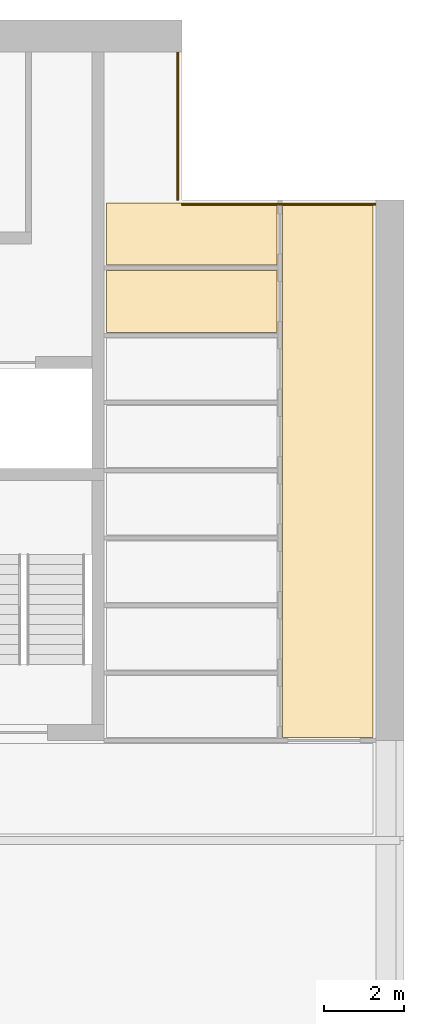
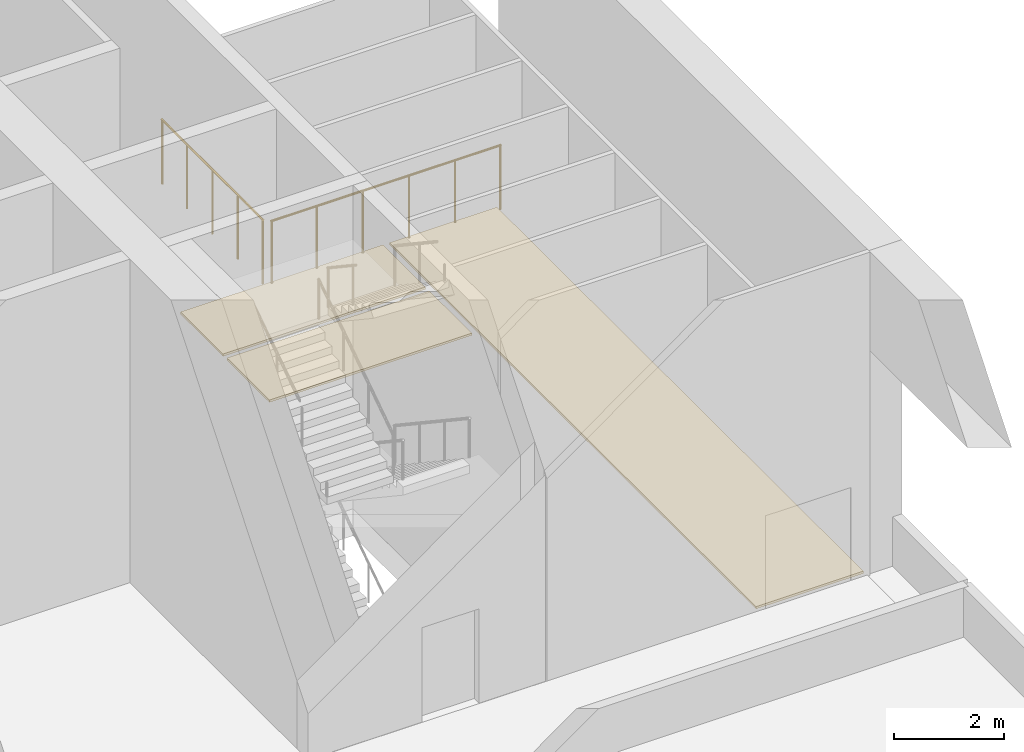
# One storey, part 9 of 10: 3 coverings, 2 railings.
"""IFC4 building model written with IfcOpenShell, lengths in metres."""

import ifcopenshell
import ifcopenshell.guid

model = None  # the IFC model being written
_history = None  # IfcOwnerHistory: only IFC2X3 demands one
_inside = {}  # id of a spatial element -> (the spatial element, [elements in it])
_under = {}  # id of a project, library or spatial element -> (it, [spatial elements below it])
_declared = {}  # id of a project -> (the project, [libraries it declares])
_typed = {}  # id of a type object -> (the type object, [elements of that type])
_made_of = {}  # id of a material, layer set ... -> (it, [elements and type objects made of it])


def new_model(schema):
    """Start an empty IFC model of exactly this schema.

    Asked for "IFC4X3", IfcOpenShell would pick the latest addendum, in which some entities
    have other attributes; the version numbers below select the first issue.
    IFC2X3 requires an IfcOwnerHistory on every rooted entity: one is made here for all.
    """
    global model, _history
    if schema == "IFC4X3":
        model = ifcopenshell.file(schema_version=(4, 3, 0, 0))
    else:
        model = ifcopenshell.file(schema=schema)
    _inside.clear()
    _under.clear()
    _declared.clear()
    _typed.clear()
    _made_of.clear()
    _history = None
    if model.schema == "IFC2X3":
        org = make("IfcOrganization", Name="unknown")
        user = make(
            "IfcPersonAndOrganization",
            ThePerson=make("IfcPerson", FamilyName="unknown"),
            TheOrganization=org,
        )
        app = make(
            "IfcApplication",
            ApplicationDeveloper=org,
            Version="unknown",
            ApplicationFullName="unknown",
            ApplicationIdentifier="unknown",
        )
        _history = make(
            "IfcOwnerHistory",
            OwningUser=user,
            OwningApplication=app,
            ChangeAction="ADDED",
            CreationDate=0,
        )
    return model


def make(cls, **values):
    """One entity of the class cls with the attributes given. An attribute that is None is left unset."""
    return model.create_entity(
        cls, **{name: value for name, value in values.items() if value is not None}
    )


def rooted(cls, **values):
    """An entity with a GlobalId (a new one), such as an element, a storey or a relation."""
    return make(cls, GlobalId=ifcopenshell.guid.new(), OwnerHistory=_history, **values)


def si_unit(unit_type, name, prefix=None):
    """IfcSIUnit, for example si_unit("LENGTHUNIT", "METRE", prefix="MILLI")."""
    return make("IfcSIUnit", UnitType=unit_type, Prefix=prefix, Name=name)


def assignment(units):
    """IfcUnitAssignment: the units of a project."""
    return None if units is None else make("IfcUnitAssignment", Units=units)


def point(xyz):
    """IfcCartesianPoint."""
    return None if xyz is None else make("IfcCartesianPoint", Coordinates=xyz)


def direction(xyz):
    """IfcDirection."""
    return None if xyz is None else make("IfcDirection", DirectionRatios=xyz)


def frame(location, z_axis=None, x_axis=None):
    """IfcAxis2Placement3D, a coordinate frame: its origin and axes. An axis left out is left unset."""
    return make(
        "IfcAxis2Placement3D",
        Location=point(location),
        Axis=direction(z_axis),
        RefDirection=direction(x_axis),
    )


def frame_2d(location, x_axis=None):
    """IfcAxis2Placement2D, a coordinate frame in the plane: its origin and x axis."""
    return make(
        "IfcAxis2Placement2D", Location=point(location), RefDirection=direction(x_axis)
    )


def origin():
    """The frame at (0, 0, 0) with its axes left unset."""
    return frame((0.0, 0.0, 0.0))


def origin_2d():
    """The frame at (0, 0) in the plane with its x axis left unset."""
    return frame_2d((0.0, 0.0))


def place(relative_to, where):
    """IfcLocalPlacement: puts the frame where relative to a parent placement (None: the world)."""
    return make(
        "IfcLocalPlacement", PlacementRelTo=relative_to, RelativePlacement=where
    )


def context(
    kind, dimensions, precision=None, world=None, true_north=None, identifier=None
):
    """IfcGeometricRepresentationContext, for example the 3D "Model" context."""
    return make(
        "IfcGeometricRepresentationContext",
        ContextIdentifier=identifier,
        ContextType=kind,
        CoordinateSpaceDimension=dimensions,
        Precision=precision,
        WorldCoordinateSystem=world,
        TrueNorth=true_north,
    )


def subcontext(parent, identifier, kind, view, scale=None):
    """IfcGeometricRepresentationSubContext, for example "Body" below "Model"."""
    return make(
        "IfcGeometricRepresentationSubContext",
        ContextIdentifier=identifier,
        ContextType=kind,
        ParentContext=parent,
        TargetScale=scale,
        TargetView=view,
    )


def project(units=None, contexts=None):
    """IfcProject with its units and contexts."""
    return rooted(
        "IfcProject",
        Name="project",
        RepresentationContexts=contexts,
        UnitsInContext=assignment(units),
    )


def spatial(cls, under=None, at=None, **own):
    """A site, building, storey or space (cls), placed at a placement, below another one or the project."""
    s = rooted(cls, ObjectPlacement=at, **own)
    if under is not None:
        _under.setdefault(under.id(), (under, []))[1].append(s)
    return s


def polyline(points):
    """IfcPolyline through the points."""
    return make("IfcPolyline", Points=[point(p) for p in points])


def profile(cls, at=None, kind="AREA", **sizes):
    """A parametric profile (cls). Its sizes go by their IFC names, for example OverallWidth=200.0."""
    return make(cls, ProfileType=kind, Position=at, **sizes)


def circle(**sizes):
    """IfcCircleProfileDef."""
    return profile("IfcCircleProfileDef", **sizes)


def outline(outer, holes=None, kind="AREA"):
    """IfcArbitraryClosedProfileDef: a profile drawn as a closed curve; with holes, ...WithVoids."""
    if holes is None:
        return make("IfcArbitraryClosedProfileDef", ProfileType=kind, OuterCurve=outer)
    return make(
        "IfcArbitraryProfileDefWithVoids",
        ProfileType=kind,
        OuterCurve=outer,
        InnerCurves=holes,
    )


def extrude(swept, where, along, depth):
    """IfcExtrudedAreaSolid: the profile swept, set in the frame where, extruded along a direction by depth."""
    return make(
        "IfcExtrudedAreaSolid",
        SweptArea=swept,
        Position=where,
        ExtrudedDirection=direction(along),
        Depth=depth,
    )


def shape(context_of_items, identifier, shape_type, items):
    """IfcShapeRepresentation: the items that make up one representation, for example the "Body"."""
    return make(
        "IfcShapeRepresentation",
        ContextOfItems=context_of_items,
        RepresentationIdentifier=identifier,
        RepresentationType=shape_type,
        Items=items,
    )


def material(Name=None, Category=None):
    """IfcMaterial."""
    return make("IfcMaterial", Name=Name, Category=Category)


def layer(
    of_material, thickness, ventilated=None, Name=None, Category=None, Priority=None
):
    """IfcMaterialLayer: one layer of a wall or slab, of a material (None: an air gap)."""
    return make(
        "IfcMaterialLayer",
        Material=of_material,
        LayerThickness=thickness,
        IsVentilated=ventilated,
        Name=Name,
        Category=Category,
        Priority=Priority,
    )


def layer_set(layers, Name=None):
    """IfcMaterialLayerSet."""
    return make("IfcMaterialLayerSet", MaterialLayers=layers, LayerSetName=Name)


def made_of(thing, what):
    """Note that an element or type object is made of a material, layer set ...; save() writes the relation."""
    if what is not None:
        _made_of.setdefault(what.id(), (what, []))[1].append(thing)
    return thing


def type_object(cls, material=None, **own):
    """A type object (cls), such as IfcWallType, which elements share."""
    return made_of(rooted(cls, **own), material)


def element(
    cls,
    number,
    at=None,
    inside=None,
    cuts=None,
    type_object=None,
    material=None,
    context=None,
    identifier="Body",
    shape_type=None,
    held_by="IfcProductDefinitionShape",
    body=None,
    shapes=None,
    **own,
):
    """One element of the class cls, such as IfcWall. Its Tag is "e" and its number.

    at: its placement. inside: the storey or other place that contains it. cuts: it is an
    opening in that element (IfcRelVoidsElement). A single representation is given by context,
    identifier, shape_type and body (its items); several are given by shapes. held_by: the class
    of the entity that holds the representations. save() writes the other relations.
    """
    e = rooted(cls, Tag="e%d" % number, ObjectPlacement=at, **own)
    if body is not None:
        shapes = [shape(context, identifier, shape_type, body)]
    if shapes is not None:
        e.Representation = make(held_by, Representations=shapes)
    if inside is not None:
        _inside.setdefault(inside.id(), (inside, []))[1].append(e)
    if cuts is not None:
        rooted(
            "IfcRelVoidsElement", RelatingBuildingElement=cuts, RelatedOpeningElement=e
        )
    if type_object is not None:
        _typed.setdefault(type_object.id(), (type_object, []))[1].append(e)
    return made_of(e, material)


def aggregate(whole, parts):
    """IfcRelAggregates: a whole, such as a stair, and the parts it consists of."""
    return rooted("IfcRelAggregates", RelatingObject=whole, RelatedObjects=parts)


def save(model, path):
    """Write the relations noted so far, then the file.

    IfcRelAggregates (storeys below a building ...), IfcRelContainedInSpatialStructure (elements
    in a storey), IfcRelDefinesByType, IfcRelAssociatesMaterial and IfcRelDeclares: one each for
    every whole, place, type object, material and project.
    """
    for whole, parts in _under.values():
        aggregate(whole, parts)
    for where, things in _inside.values():
        rooted(
            "IfcRelContainedInSpatialStructure",
            RelatedElements=things,
            RelatingStructure=where,
        )
    for kind, things in _typed.values():
        rooted("IfcRelDefinesByType", RelatedObjects=things, RelatingType=kind)
    for what, things in _made_of.values():
        rooted("IfcRelAssociatesMaterial", RelatedObjects=things, RelatingMaterial=what)
    for by, libraries in _declared.values():
        rooted("IfcRelDeclares", RelatingContext=by, RelatedDefinitions=libraries)
    model.write(path)


model = new_model("IFC4")

# Units and contexts
model_context = context("Model", 3, precision=1e-05, world=origin(), true_north=direction((0.0, 1.0)))
body_context = subcontext(model_context, "Body", "Model", "MODEL_VIEW")
ifc_project = project(units=[si_unit("LENGTHUNIT", "METRE"), si_unit("AREAUNIT", "SQUARE_METRE"), si_unit("VOLUMEUNIT", "CUBIC_METRE"), si_unit("PLANEANGLEUNIT", "RADIAN"), si_unit("MASSUNIT", "GRAM", prefix="KILO")], contexts=[model_context])

# Site, building, storey
site_placement = place(None, origin())
site = spatial("IfcSite", under=ifc_project, at=site_placement, CompositionType="ELEMENT")
building_placement = place(site_placement, origin())
building = spatial("IfcBuilding", under=site, at=building_placement, Name="Calvaro Tower", CompositionType="ELEMENT")
storey_placement = place(building_placement, frame((0.0, 0.0, 158.75)))
storey = spatial("IfcBuildingStorey", under=building, at=storey_placement, Name="L40", CompositionType="ELEMENT", Elevation=158.75)

# Coverings
ifc_material_1 = material(Name="Cement screed with carpet tile finish")
ifc_layer = layer(ifc_material_1, 0.050048828125)
ifc_layer_set = layer_set([ifc_layer], Name="Cement screed with carpet tile finish")
covering_type = type_object("IfcCoveringType", Name="Floor finish 50", PredefinedType="FLOORING", material=ifc_layer_set)
covering_1_placement = place(storey_placement, origin())
element("IfcCovering", 1, at=covering_1_placement, inside=storey, type_object=covering_type, Name="Floor finish 24.03", PredefinedType="FLOORING", context=body_context, shape_type="SweptSolid", body=[
    extrude(outline(polyline([(68.969970703125, 28.070068359375), (68.969970703125, 41.429931640625), (71.22998046875, 41.429931640625), (71.22998046875, 28.070068359375), (68.969970703125, 28.070068359375)])), origin(), (0.0, 0.0, 1.0), 0.050048828125),
])
covering_2_placement = place(storey_placement, origin())
element("IfcCovering", 2, at=covering_2_placement, inside=storey, type_object=covering_type, Name="Floor finish 24.19", PredefinedType="FLOORING", context=body_context, shape_type="SweptSolid", body=[
    extrude(outline(polyline([(64.570068359375, 38.18994140625), (64.570068359375, 39.739990234375), (68.830078125, 39.739990234375), (68.830078125, 38.18994140625), (64.570068359375, 38.18994140625)])), origin(), (0.0, 0.0, 1.0), 0.050048828125),
])
covering_3_placement = place(storey_placement, origin())
element("IfcCovering", 3, at=covering_3_placement, inside=storey, type_object=covering_type, Name="Floor finish 24.21", PredefinedType="FLOORING", context=body_context, shape_type="SweptSolid", body=[
    extrude(outline(polyline([(64.570068359375, 41.429931640625), (68.830078125, 41.429931640625), (68.830078125, 39.8798828125), (64.570068359375, 39.8798828125), (64.570068359375, 41.429931640625)])), origin(), (0.0, 0.0, 1.0), 0.050048828125),
])

# Railings
ifc_material_2 = material(Name="Stainless steel", Category="steel")
railing_type = type_object("IfcRailingType", Name="Guard 1450", PredefinedType="GUARDRAIL", material=ifc_material_2)
railing_1_placement = place(storey_placement, frame((66.449951171875, 41.39990234375, 0.0)))
element("IfcRailing", 4, at=railing_1_placement, inside=storey, type_object=railing_type, Name="Edge guard", PredefinedType="GUARDRAIL", context=body_context, shape_type="SweptSolid", body=[
    extrude(circle(Radius=0.02392578125, at=origin_2d()), frame((0.0, 0.0, 1.42578125), z_axis=(1.0, 0.0, 0.0), x_axis=(0.0, 1.0, 0.0)), (0.0, 0.0, 1.0), 4.85009765625),
    extrude(circle(Radius=0.02099609375, at=origin_2d()), frame((0.02099609375, 0.0, 0.0)), (0.0, 0.0, 1.0), 1.40185546875),
    extrude(circle(Radius=0.02099609375, at=origin_2d()), frame((0.969970703125, 0.0, 0.0)), (0.0, 0.0, 1.0), 1.40185546875),
    extrude(circle(Radius=0.02099609375, at=origin_2d()), frame((1.93994140625, 0.0, 0.0)), (0.0, 0.0, 1.0), 1.40185546875),
    extrude(circle(Radius=0.02099609375, at=origin_2d()), frame((2.91015625, 0.0, 0.0)), (0.0, 0.0, 1.0), 1.40185546875),
    extrude(circle(Radius=0.02099609375, at=origin_2d()), frame((3.880126953125, 0.0, 0.0)), (0.0, 0.0, 1.0), 1.40185546875),
    extrude(circle(Radius=0.02099609375, at=origin_2d()), frame((4.8291015625, 0.0, 0.0)), (0.0, 0.0, 1.0), 1.40185546875),
])
railing_2_placement = place(storey_placement, frame((66.35009765625, 41.5, 0.0)))
element("IfcRailing", 5, at=railing_2_placement, inside=storey, type_object=railing_type, Name="Edge guard", PredefinedType="GUARDRAIL", context=body_context, shape_type="SweptSolid", body=[
    extrude(circle(Radius=0.02392578125, at=origin_2d()), frame((0.0, 0.0, 1.42578125), z_axis=(0.0, 1.0, 0.0), x_axis=(-1.0, 0.0, 0.0)), (0.0, 0.0, 1.0), 3.699951171875),
    extrude(circle(Radius=0.02099609375, at=origin_2d()), frame((0.0, 0.02099609375, 0.0)), (0.0, 0.0, 1.0), 1.40185546875),
    extrude(circle(Radius=0.02099609375, at=origin_2d()), frame((0.0, 0.925048828125, 0.0)), (0.0, 0.0, 1.0), 1.40185546875),
    extrude(circle(Radius=0.02099609375, at=origin_2d()), frame((0.0, 1.85009765625, 0.0)), (0.0, 0.0, 1.0), 1.40185546875),
    extrude(circle(Radius=0.02099609375, at=origin_2d()), frame((0.0, 2.77490234375, 0.0)), (0.0, 0.0, 1.0), 1.40185546875),
    extrude(circle(Radius=0.02099609375, at=origin_2d()), frame((0.0, 3.678955078125, 0.0)), (0.0, 0.0, 1.0), 1.40185546875),
])

save(model, "model.ifc")
